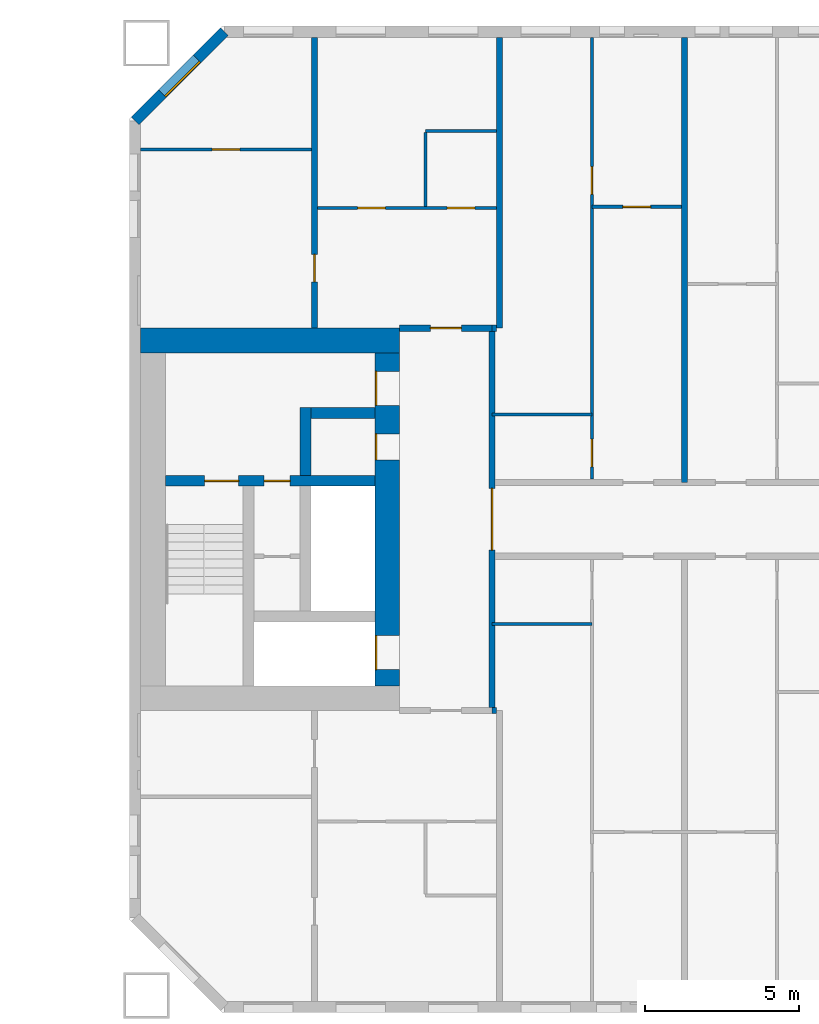
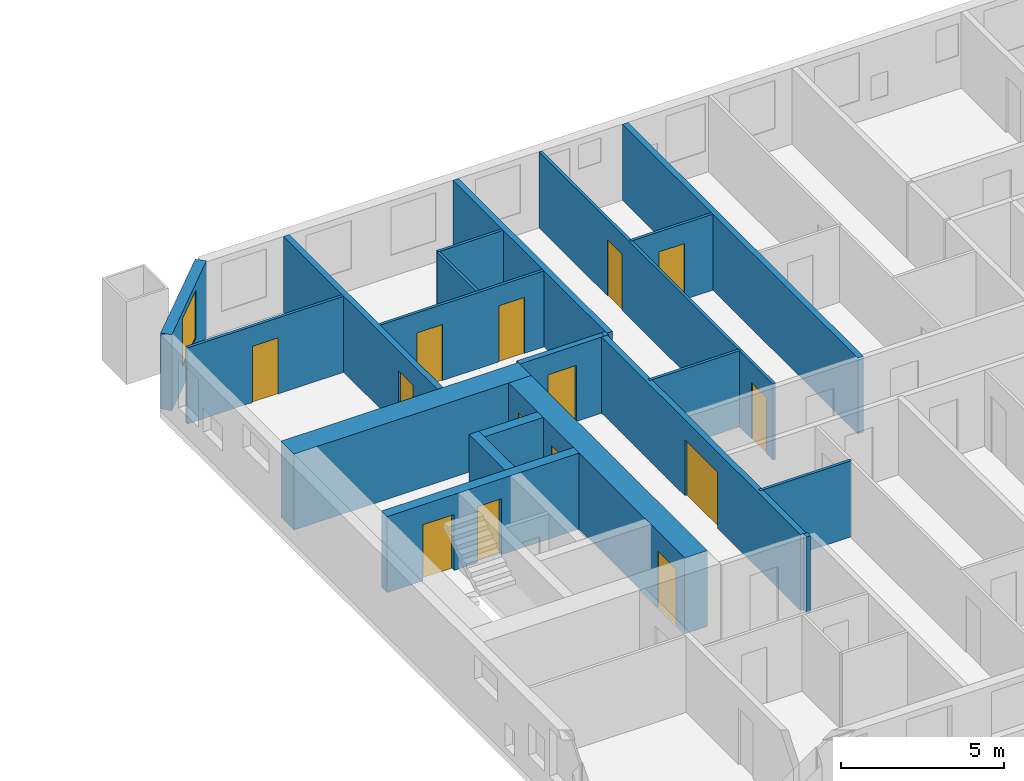
# One storey, part 12 of 19: 21 walls, 14 doors, 1 window, 15 openings.
"""IFC4 building model written with IfcOpenShell, lengths in metres."""

from ifc_helpers import new_model, si_unit, direction, frame, frame_2d, origin, place, context, subcontext, project, spatial, rectangle, extrude, material, layer, layer_set, type_object, element, fill, save


model = new_model("IFC4")

# Units and contexts
model_context = context("Model", 3, precision=1e-05, world=origin(), true_north=direction((0.0, 1.0)))
body_context = subcontext(model_context, "Body", "Model", "MODEL_VIEW")
ifc_project = project(units=[si_unit("LENGTHUNIT", "METRE"), si_unit("AREAUNIT", "SQUARE_METRE"), si_unit("VOLUMEUNIT", "CUBIC_METRE"), si_unit("PLANEANGLEUNIT", "RADIAN"), si_unit("MASSUNIT", "GRAM", prefix="KILO")], contexts=[model_context])

# Site, building, storey
site_placement = place(None, origin())
site = spatial("IfcSite", under=ifc_project, at=site_placement, CompositionType="ELEMENT")
building_placement = place(site_placement, origin())
building = spatial("IfcBuilding", under=site, at=building_placement, Name="Tuart Gate Housing", CompositionType="ELEMENT")
storey_placement = place(building_placement, frame((0.0, 0.0, 56.699951171875)))
storey = spatial("IfcBuildingStorey", under=building, at=storey_placement, Name="L15", CompositionType="ELEMENT", Elevation=56.699951171875)

# Wall, opening, window
ifc_material_1 = material(Name="Brick", Category="masonry")
ifc_layer_1 = layer(ifc_material_1, 0.360107421875)
ifc_layer_set_1 = layer_set([ifc_layer_1], Name="Brick pier and spandrel wall 360")
wall_type_1 = type_object("IfcWallType", Name="Brick pier and spandrel wall 360", PredefinedType="STANDARD", material=ifc_layer_set_1)
wall_1_placement = place(storey_placement, frame((134.07470703125, 85.820068359375, 0.0), z_axis=(0.0, 0.0, 1.0), x_axis=(-0.707106781187, -0.707106781187, 0.0)))
wall_1 = element("IfcWall", 1, at=wall_1_placement, inside=storey, type_object=wall_type_1, Name="External wall B-NW L15", PredefinedType="STANDARD", context=body_context, shape_type="SweptSolid", body=[
    extrude(rectangle(XDim=4.09375, YDim=0.360107421875, at=frame_2d((2.046875, 0.0))), origin(), (0.0, 0.0, 1.0), 2.85009765625),
])
opening_1_placement = place(wall_1_placement, frame((1.2470703125, 0.0, 0.800048828125)))
opening_1 = element("IfcOpeningElement", 2, at=opening_1_placement, cuts=wall_1, Name="Opening W1", PredefinedType="OPENING", context=body_context, shape_type="SweptSolid", body=[
    extrude(rectangle(XDim=1.60009765625, YDim=1.800048828125, at=frame_2d((0.800048828125, 0.89990234375))), frame((0.0, 0.18994140625, 0.0), z_axis=(0.0, -1.0, 0.0), x_axis=(1.0, 0.0, 0.0)), (0.0, 0.0, 1.0), 0.380126953125),
])
ifc_material_2 = material(Name="Aluminium frame with clear glass", Category="aluminium")
window_type = type_object("IfcWindowType", Name="Punched window 1600 x 1800", PartitioningType="SINGLE_PANEL", PredefinedType="WINDOW", material=ifc_material_2)
window_placement = place(opening_1_placement, origin())
window = element("IfcWindow", 3, at=window_placement, inside=storey, type_object=window_type, Name="Window W1", OverallHeight=1.800048828125, OverallWidth=1.60009765625, PartitioningType="SINGLE_PANEL", PredefinedType="WINDOW", context=body_context, shape_type="SweptSolid", body=[
    extrude(rectangle(XDim=1.60009765625, YDim=1.800048828125, at=frame_2d((0.800048828125, 0.89990234375))), frame((0.0, 0.150146484375, 0.0), z_axis=(0.0, -1.0, 0.0), x_axis=(1.0, 0.0, 0.0)), (0.0, 0.0, 1.0), 0.06005859375),
])
fill(opening_1, window)

# Wall, openings, doors
ifc_material_3 = material(Name="Concrete C60", Category="concrete")
ifc_layer_2 = layer(ifc_material_3, 0.35009765625)
ifc_layer_set_2 = layer_set([ifc_layer_2], Name="Core wall 350 C60")
wall_type_2 = type_object("IfcWallType", Name="Core wall 350 C60", PredefinedType="SHEAR", material=ifc_layer_set_2)
wall_2_placement = place(storey_placement, frame((138.9599609375, 71.25, 0.0), z_axis=(0.0, 0.0, 1.0), x_axis=(-1.0, 0.0, 0.0)))
wall_2 = element("IfcWall", 4, at=wall_2_placement, inside=storey, type_object=wall_type_2, Name="Core wall BG.3", PredefinedType="SHEAR", context=body_context, shape_type="SweptSolid", body=[
    extrude(rectangle(XDim=6.800048828125, YDim=0.35009765625, at=frame_2d((3.39990234375, 0.0))), origin(), (0.0, 0.0, 1.0), 2.85009765625),
])
opening_2_placement = place(wall_2_placement, frame((4.425048828125, 0.0, 0.0)))
opening_2 = element("IfcOpeningElement", 5, at=opening_2_placement, cuts=wall_2, Name="Opening D798", PredefinedType="OPENING", context=body_context, shape_type="SweptSolid", body=[
    extrude(rectangle(XDim=1.10009765625, YDim=2.10009765625, at=frame_2d((0.550048828125, 1.050048828125))), frame((0.0, 0.18505859375, 0.0), z_axis=(0.0, -1.0, 0.0), x_axis=(1.0, 0.0, 0.0)), (0.0, 0.0, 1.0), 0.3701171875),
])
opening_3_placement = place(wall_2_placement, frame((2.75, 0.0, 0.0)))
opening_3 = element("IfcOpeningElement", 6, at=opening_3_placement, cuts=wall_2, Name="Opening D797", PredefinedType="OPENING", context=body_context, shape_type="SweptSolid", body=[
    extrude(rectangle(XDim=0.85009765625, YDim=2.10009765625, at=frame_2d((0.425048828125, 1.050048828125))), frame((0.0, 0.18505859375, 0.0), z_axis=(0.0, -1.0, 0.0), x_axis=(1.0, 0.0, 0.0)), (0.0, 0.0, 1.0), 0.3701171875),
])
ifc_material_4 = material(Name="Steel fire door", Category="steel")
door_type_1 = type_object("IfcDoorType", Name="Riser door 850 x 2100", OperationType="SINGLE_SWING_LEFT", PredefinedType="DOOR", material=ifc_material_4)
door_1_placement = place(opening_3_placement, origin())
door_1 = element("IfcDoor", 7, at=door_1_placement, inside=storey, type_object=door_type_1, Name="Service room door BG.W1", OperationType="SINGLE_SWING_LEFT", OverallHeight=2.10009765625, OverallWidth=0.85009765625, PredefinedType="DOOR", context=body_context, shape_type="SweptSolid", body=[
    extrude(rectangle(XDim=0.85009765625, YDim=2.10009765625, at=frame_2d((0.425048828125, 1.050048828125))), frame((0.0, 0.02490234375, 0.0), z_axis=(0.0, -1.0, 0.0), x_axis=(1.0, 0.0, 0.0)), (0.0, 0.0, 1.0), 0.050048828125),
])
fill(opening_3, door_1)
ifc_material_5 = material(Name="Steel fire door", Category="steel")
door_type_2 = type_object("IfcDoorType", Name="Stair door 1100 x 2100", OperationType="SINGLE_SWING_LEFT", PredefinedType="DOOR", material=ifc_material_5)
door_2_placement = place(opening_2_placement, origin())
door_2 = element("IfcDoor", 8, at=door_2_placement, inside=storey, type_object=door_type_2, Name="Stair door BG.SD", OperationType="SINGLE_SWING_LEFT", OverallHeight=2.10009765625, OverallWidth=1.10009765625, PredefinedType="DOOR", context=body_context, shape_type="SweptSolid", body=[
    extrude(rectangle(XDim=1.10009765625, YDim=2.10009765625, at=frame_2d((0.550048828125, 1.050048828125))), frame((0.0, 0.02490234375, 0.0), z_axis=(0.0, -1.0, 0.0), x_axis=(1.0, 0.0, 0.0)), (0.0, 0.0, 1.0), 0.050048828125),
])
fill(opening_2, door_2)

# Walls
wall_3_placement = place(storey_placement, frame((138.9599609375, 73.449951171875, 0.0), z_axis=(0.0, 0.0, 1.0), x_axis=(-1.0, 0.0, 0.0)))
element("IfcWall", 9, at=wall_3_placement, inside=storey, type_object=wall_type_2, Name="Core wall BG.4", PredefinedType="SHEAR", context=body_context, shape_type="SweptSolid", body=[
    extrude(rectangle(XDim=2.074951171875, YDim=0.35009765625, at=frame_2d((1.03759765625, 0.0))), origin(), (0.0, 0.0, 1.0), 2.85009765625),
])
wall_4_placement = place(storey_placement, frame((136.7099609375, 71.425048828125, 0.0), z_axis=(0.0, 0.0, 1.0), x_axis=(0.0, 1.0, 0.0)))
element("IfcWall", 10, at=wall_4_placement, inside=storey, type_object=wall_type_2, Name="Core wall BG.6", PredefinedType="SHEAR", context=body_context, shape_type="SweptSolid", body=[
    extrude(rectangle(XDim=2.199951171875, YDim=0.35009765625, at=frame_2d((1.10009765625, 0.0))), origin(), (0.0, 0.0, 1.0), 2.85009765625),
])

# Wall, openings, doors
ifc_material_6 = material(Name="Concrete C60", Category="concrete")
ifc_layer_3 = layer(ifc_material_6, 0.800048828125)
ifc_layer_set_3 = layer_set([ifc_layer_3], Name="Core wall 800 C60")
wall_type_3 = type_object("IfcWallType", Name="Core wall 800 C60", PredefinedType="SHEAR", material=ifc_layer_set_3)
wall_5_placement = place(storey_placement, frame((139.360107421875, 64.60009765625, 0.0), z_axis=(0.0, 0.0, 1.0), x_axis=(0.0, 1.0, 0.0)))
wall_5 = element("IfcWall", 11, at=wall_5_placement, inside=storey, type_object=wall_type_3, Name="Core wall BG front", PredefinedType="SHEAR", context=body_context, shape_type="SweptSolid", body=[
    extrude(rectangle(XDim=10.7998046875, YDim=0.800048828125, at=frame_2d((5.39990234375, 0.0))), origin(), (0.0, 0.0, 1.0), 2.85009765625),
])
opening_4_placement = place(wall_5_placement, frame((0.52490234375, 0.0, 0.0)))
opening_4 = element("IfcOpeningElement", 12, at=opening_4_placement, cuts=wall_5, Name="Opening LD-FB1", PredefinedType="OPENING", context=body_context, shape_type="SweptSolid", body=[
    extrude(rectangle(XDim=1.10009765625, YDim=2.10009765625, at=frame_2d((0.550048828125, 1.050048828125))), frame((0.0, 0.409912109375, 0.0), z_axis=(0.0, -1.0, 0.0), x_axis=(1.0, 0.0, 0.0)), (0.0, 0.0, 1.0), 0.820068359375),
])
opening_5_placement = place(wall_5_placement, frame((9.10009765625, 0.0, 0.0)))
opening_5 = element("IfcOpeningElement", 13, at=opening_5_placement, cuts=wall_5, Name="Opening D801", PredefinedType="OPENING", context=body_context, shape_type="SweptSolid", body=[
    extrude(rectangle(XDim=1.10009765625, YDim=2.10009765625, at=frame_2d((0.550048828125, 1.050048828125))), frame((0.0, 0.409912109375, 0.0), z_axis=(0.0, -1.0, 0.0), x_axis=(1.0, 0.0, 0.0)), (0.0, 0.0, 1.0), 0.820068359375),
])
opening_6_placement = place(wall_5_placement, frame((7.324951171875, 0.0, 0.0)))
opening_6 = element("IfcOpeningElement", 14, at=opening_6_placement, cuts=wall_5, Name="Opening D802", PredefinedType="OPENING", context=body_context, shape_type="SweptSolid", body=[
    extrude(rectangle(XDim=0.85009765625, YDim=2.10009765625, at=frame_2d((0.425048828125, 1.050048828125))), frame((0.0, 0.409912109375, 0.0), z_axis=(0.0, -1.0, 0.0), x_axis=(1.0, 0.0, 0.0)), (0.0, 0.0, 1.0), 0.820068359375),
])
ifc_material_7 = material(Name="Stainless steel", Category="steel")
door_type_3 = type_object("IfcDoorType", Name="Landing door 1100 x 2100", OperationType="DOUBLE_DOOR_SLIDING", PredefinedType="DOOR", material=ifc_material_7)
door_3_placement = place(opening_4_placement, origin())
door_3 = element("IfcDoor", 15, at=door_3_placement, inside=storey, type_object=door_type_3, Name="Lift landing door FB1", OperationType="DOUBLE_DOOR_SLIDING", OverallHeight=2.10009765625, OverallWidth=1.10009765625, PredefinedType="DOOR", context=body_context, shape_type="SweptSolid", body=[
    extrude(rectangle(XDim=1.10009765625, YDim=2.10009765625, at=frame_2d((0.550048828125, 1.050048828125))), frame((0.0, 0.38525390625, 0.0), z_axis=(0.0, -1.0, 0.0), x_axis=(1.0, 0.0, 0.0)), (0.0, 0.0, 1.0), 0.050048828125),
])
fill(opening_4, door_3)
ifc_material_8 = material(Name="Steel fire door", Category="steel")
door_type_4 = type_object("IfcDoorType", Name="Lobby door 1100 x 2100", OperationType="SINGLE_SWING_LEFT", PredefinedType="DOOR", material=ifc_material_8)
door_4_placement = place(opening_5_placement, origin())
door_4 = element("IfcDoor", 16, at=door_4_placement, inside=storey, type_object=door_type_4, Name="Lobby entry door BG.EN", OperationType="SINGLE_SWING_LEFT", OverallHeight=2.10009765625, OverallWidth=1.10009765625, PredefinedType="DOOR", context=body_context, shape_type="SweptSolid", body=[
    extrude(rectangle(XDim=1.10009765625, YDim=2.10009765625, at=frame_2d((0.550048828125, 1.050048828125))), frame((0.0, 0.38525390625, 0.0), z_axis=(0.0, -1.0, 0.0), x_axis=(1.0, 0.0, 0.0)), (0.0, 0.0, 1.0), 0.050048828125),
])
fill(opening_5, door_4)
ifc_material_9 = material(Name="Steel fire door", Category="steel")
door_type_5 = type_object("IfcDoorType", Name="Service door 850 x 2100", OperationType="SINGLE_SWING_LEFT", PredefinedType="DOOR", material=ifc_material_9)
door_5_placement = place(opening_6_placement, origin())
door_5 = element("IfcDoor", 17, at=door_5_placement, inside=storey, type_object=door_type_5, Name="Service room door BG.T1", OperationType="SINGLE_SWING_LEFT", OverallHeight=2.10009765625, OverallWidth=0.85009765625, PredefinedType="DOOR", context=body_context, shape_type="SweptSolid", body=[
    extrude(rectangle(XDim=0.85009765625, YDim=2.10009765625, at=frame_2d((0.425048828125, 1.050048828125))), frame((0.0, 0.38525390625, 0.0), z_axis=(0.0, -1.0, 0.0), x_axis=(1.0, 0.0, 0.0)), (0.0, 0.0, 1.0), 0.050048828125),
])
fill(opening_6, door_5)

# Wall
wall_6_placement = place(storey_placement, frame((139.760009765625, 75.800048828125, 0.0), z_axis=(0.0, 0.0, 1.0), x_axis=(-1.0, 0.0, 0.0)))
element("IfcWall", 18, at=wall_6_placement, inside=storey, type_object=wall_type_3, Name="Core wall BG north", PredefinedType="SHEAR", context=body_context, shape_type="SweptSolid", body=[
    extrude(rectangle(XDim=8.39990234375, YDim=0.800048828125, at=frame_2d((4.199951171875, 0.0))), origin(), (0.0, 0.0, 1.0), 2.85009765625),
])

# Wall, opening, door
ifc_material_10 = material(Name="Concrete masonry 15 MPa", Category="masonry")
ifc_layer_4 = layer(ifc_material_10, 0.199951171875)
ifc_layer_set_4 = layer_set([ifc_layer_4], Name="Enclosure wall masonry 200")
wall_type_4 = type_object("IfcWallType", Name="Enclosure wall masonry 200", PredefinedType="PARTITIONING", material=ifc_layer_set_4)
wall_7_placement = place(storey_placement, frame((139.760009765625, 76.199951171875, 0.0), z_axis=(0.0, 0.0, 1.0), x_axis=(1.0, 0.0, 0.0)))
wall_7 = element("IfcWall", 19, at=wall_7_placement, inside=storey, type_object=wall_type_4, Name="Enclosure wall masonry 200", PredefinedType="PARTITIONING", context=body_context, shape_type="SweptSolid", body=[
    extrude(rectangle(XDim=3.0, YDim=0.199951171875, at=frame_2d((1.5, 0.0))), origin(), (0.0, 0.0, 1.0), 2.85009765625),
])
opening_7_placement = place(wall_7_placement, frame((1.0, 0.0, 0.0)))
opening_7 = element("IfcOpeningElement", 20, at=opening_7_placement, cuts=wall_7, Name="Opening D795", PredefinedType="OPENING", context=body_context, shape_type="SweptSolid", body=[
    extrude(rectangle(XDim=1.0, YDim=2.10009765625, at=frame_2d((0.5, 1.050048828125))), frame((0.0, 0.10986328125, 0.0), z_axis=(0.0, -1.0, 0.0), x_axis=(1.0, 0.0, 0.0)), (0.0, 0.0, 1.0), 0.219970703125),
])
ifc_material_11 = material(Name="Timber door leaf in steel frame", Category="steel")
door_type_6 = type_object("IfcDoorType", Name="Flat entrance door 1000 RH", OperationType="SINGLE_SWING_RIGHT", PredefinedType="DOOR", material=ifc_material_11)
door_6_placement = place(opening_7_placement, origin())
door_6 = element("IfcDoor", 21, at=door_6_placement, inside=storey, type_object=door_type_6, Name="Flat entrance door", OperationType="SINGLE_SWING_RIGHT", OverallHeight=2.10009765625, OverallWidth=1.0, PredefinedType="DOOR", context=body_context, shape_type="SweptSolid", body=[
    extrude(rectangle(XDim=1.0, YDim=2.10009765625, at=frame_2d((0.5, 1.050048828125))), frame((0.0, 0.02490234375, 0.0), z_axis=(0.0, -1.0, 0.0), x_axis=(1.0, 0.0, 0.0)), (0.0, 0.0, 1.0), 0.050048828125),
])
fill(opening_7, door_6)

ifc_material_12 = material(Name="Plasterboard partition")
ifc_layer_5 = layer(ifc_material_12, 0.199951171875)
ifc_layer_set_5 = layer_set([ifc_layer_5], Name="Lobby wall 200")
wall_type_5 = type_object("IfcWallType", Name="Lobby wall 200", PredefinedType="PARTITIONING", material=ifc_layer_set_5)
wall_8_placement = place(storey_placement, frame((142.760009765625, 63.89990234375, 0.0), z_axis=(0.0, 0.0, 1.0), x_axis=(0.0, 1.0, 0.0)))
wall_8 = element("IfcWall", 22, at=wall_8_placement, inside=storey, type_object=wall_type_5, Name="Lift lobby wall BG", PredefinedType="PARTITIONING", context=body_context, shape_type="SweptSolid", body=[
    extrude(rectangle(XDim=12.2001953125, YDim=0.199951171875, at=frame_2d((6.10009765625, 0.0))), origin(), (0.0, 0.0, 1.0), 2.85009765625),
])
opening_8_placement = place(wall_8_placement, frame((5.10009765625, 0.0, 0.0)))
opening_8 = element("IfcOpeningElement", 23, at=opening_8_placement, cuts=wall_8, Name="Opening D803", PredefinedType="OPENING", context=body_context, shape_type="SweptSolid", body=[
    extrude(rectangle(XDim=2.0, YDim=2.10009765625, at=frame_2d((1.0, 1.050048828125))), frame((0.0, 0.10986328125, 0.0), z_axis=(0.0, -1.0, 0.0), x_axis=(1.0, 0.0, 0.0)), (0.0, 0.0, 1.0), 0.219970703125),
])
ifc_material_13 = material(Name="Steel fire door", Category="steel")
door_type_7 = type_object("IfcDoorType", Name="Smoke door 2000 x 2100", OperationType="DOUBLE_DOOR_SINGLE_SWING", PredefinedType="DOOR", material=ifc_material_13)
door_7_placement = place(opening_8_placement, origin())
door_7 = element("IfcDoor", 24, at=door_7_placement, inside=storey, type_object=door_type_7, Name="Lift lobby smoke door BG", OperationType="DOUBLE_DOOR_SINGLE_SWING", OverallHeight=2.10009765625, OverallWidth=2.0, PredefinedType="DOOR", context=body_context, shape_type="SweptSolid", body=[
    extrude(rectangle(XDim=2.0, YDim=2.10009765625, at=frame_2d((1.0, 1.050048828125))), frame((0.0, 0.02490234375, 0.0), z_axis=(0.0, -1.0, 0.0), x_axis=(1.0, 0.0, 0.0)), (0.0, 0.0, 1.0), 0.050048828125),
])
fill(opening_8, door_7)

# Walls
ifc_material_14 = material(Name="Gypsum board on steel studs", Category="steel")
ifc_layer_6 = layer(ifc_material_14, 0.10009765625)
ifc_layer_set_6 = layer_set([ifc_layer_6], Name="Partition 100")
wall_type_6 = type_object("IfcWallType", Name="Partition 100", PredefinedType="PARTITIONING", material=ifc_layer_set_6)
for number, where, z_axis, x_axis, name in (
    (25, (142.760009765625, 66.60009765625, 0.0), (0.0, 0.0, 1.0), (1.0, 0.0, 0.0), "Partition 100"),
    (26, (142.760009765625, 73.39990234375, 0.0), (0.0, 0.0, 1.0), (1.0, 0.0, 0.0), "Partition 100"),
):
    element("IfcWall", number, at=place(storey_placement, frame(where, z_axis=z_axis, x_axis=x_axis)), inside=storey, type_object=wall_type_6, Name=name, PredefinedType="PARTITIONING", context=body_context, shape_type="SweptSolid", body=[
        extrude(rectangle(XDim=3.239990234375, YDim=0.10009765625, at=frame_2d((1.6201171875, 0.0))), origin(), (0.0, 0.0, 1.0), 2.85009765625),
    ])

# Wall, openings, doors
wall_9_placement = place(storey_placement, frame((137.10009765625, 80.10009765625, 0.0), z_axis=(0.0, 0.0, 1.0), x_axis=(1.0, 0.0, 0.0)))
wall_9 = element("IfcWall", 27, at=wall_9_placement, inside=storey, type_object=wall_type_6, Name="Partition 100", PredefinedType="PARTITIONING", context=body_context, shape_type="SweptSolid", body=[
    extrude(rectangle(XDim=5.7998046875, YDim=0.10009765625, at=frame_2d((2.89990234375, 0.0))), origin(), (0.0, 0.0, 1.0), 2.85009765625),
])
opening_9_placement = place(wall_9_placement, frame((1.300048828125, 0.0, 0.0)))
opening_9 = element("IfcOpeningElement", 28, at=opening_9_placement, cuts=wall_9, Name="Opening D787", PredefinedType="OPENING", context=body_context, shape_type="SweptSolid", body=[
    extrude(rectangle(XDim=0.89990234375, YDim=2.10009765625, at=frame_2d((0.449951171875, 1.050048828125))), frame((0.0, 0.06005859375, 0.0), z_axis=(0.0, -1.0, 0.0), x_axis=(1.0, 0.0, 0.0)), (0.0, 0.0, 1.0), 0.1201171875),
])
opening_10_placement = place(wall_9_placement, frame((4.199951171875, 0.0, 0.0)))
opening_10 = element("IfcOpeningElement", 29, at=opening_10_placement, cuts=wall_9, Name="Opening D786", PredefinedType="OPENING", context=body_context, shape_type="SweptSolid", body=[
    extrude(rectangle(XDim=0.89990234375, YDim=2.10009765625, at=frame_2d((0.449951171875, 1.050048828125))), frame((0.0, 0.06005859375, 0.0), z_axis=(0.0, -1.0, 0.0), x_axis=(1.0, 0.0, 0.0)), (0.0, 0.0, 1.0), 0.1201171875),
])
ifc_material_15 = material(Name="Timber door leaf in steel frame", Category="steel")
door_type_8 = type_object("IfcDoorType", Name="Bathroom door 900", OperationType="SINGLE_SWING_LEFT", PredefinedType="DOOR", material=ifc_material_15)
door_8_placement = place(opening_10_placement, origin())
door_8 = element("IfcDoor", 30, at=door_8_placement, inside=storey, type_object=door_type_8, Name="Bathroom door", OperationType="SINGLE_SWING_LEFT", OverallHeight=2.10009765625, OverallWidth=0.89990234375, PredefinedType="DOOR", context=body_context, shape_type="SweptSolid", body=[
    extrude(rectangle(XDim=0.89990234375, YDim=2.10009765625, at=frame_2d((0.449951171875, 1.050048828125))), frame((0.0, 0.02490234375, 0.0), z_axis=(0.0, -1.0, 0.0), x_axis=(1.0, 0.0, 0.0)), (0.0, 0.0, 1.0), 0.050048828125),
])
fill(opening_10, door_8)
ifc_material_16 = material(Name="Timber door leaf in steel frame", Category="steel")
door_type_9 = type_object("IfcDoorType", Name="Internal door 900 RH", OperationType="SINGLE_SWING_RIGHT", PredefinedType="DOOR", material=ifc_material_16)
door_9_placement = place(opening_9_placement, origin())
door_9 = element("IfcDoor", 31, at=door_9_placement, inside=storey, type_object=door_type_9, Name="Internal door", OperationType="SINGLE_SWING_RIGHT", OverallHeight=2.10009765625, OverallWidth=0.89990234375, PredefinedType="DOOR", context=body_context, shape_type="SweptSolid", body=[
    extrude(rectangle(XDim=0.89990234375, YDim=2.10009765625, at=frame_2d((0.449951171875, 1.050048828125))), frame((0.0, 0.02490234375, 0.0), z_axis=(0.0, -1.0, 0.0), x_axis=(1.0, 0.0, 0.0)), (0.0, 0.0, 1.0), 0.050048828125),
])
fill(opening_9, door_9)

# Wall, opening, door
wall_10_placement = place(storey_placement, frame((146.0, 80.139892578125, 0.0), z_axis=(0.0, 0.0, 1.0), x_axis=(1.0, 0.0, 0.0)))
wall_10 = element("IfcWall", 32, at=wall_10_placement, inside=storey, type_object=wall_type_6, Name="Partition 100", PredefinedType="PARTITIONING", context=body_context, shape_type="SweptSolid", body=[
    extrude(rectangle(XDim=2.89990234375, YDim=0.10009765625, at=frame_2d((1.449951171875, 0.0))), origin(), (0.0, 0.0, 1.0), 2.85009765625),
])
opening_11_placement = place(wall_10_placement, frame((1.0, 0.0, 0.0)))
opening_11 = element("IfcOpeningElement", 33, at=opening_11_placement, cuts=wall_10, Name="Opening D785", PredefinedType="OPENING", context=body_context, shape_type="SweptSolid", body=[
    extrude(rectangle(XDim=0.89990234375, YDim=2.10009765625, at=frame_2d((0.449951171875, 1.050048828125))), frame((0.0, 0.06005859375, 0.0), z_axis=(0.0, -1.0, 0.0), x_axis=(1.0, 0.0, 0.0)), (0.0, 0.0, 1.0), 0.1201171875),
])
door_10_placement = place(opening_11_placement, frame((0.89990234375, 0.0, 0.0), z_axis=(0.0, 0.0, 1.0), x_axis=(-1.0, 0.0, 0.0)))
door_10 = element("IfcDoor", 34, at=door_10_placement, inside=storey, type_object=door_type_9, Name="Internal door", OperationType="SINGLE_SWING_RIGHT", OverallHeight=2.10009765625, OverallWidth=0.89990234375, PredefinedType="DOOR", context=body_context, shape_type="SweptSolid", body=[
    extrude(rectangle(XDim=0.89990234375, YDim=2.10009765625, at=frame_2d((0.449951171875, 1.050048828125))), frame((0.0, 0.025146484375, 0.0), z_axis=(0.0, -1.0, 0.0), x_axis=(1.0, 0.0, 0.0)), (0.0, 0.0, 1.0), 0.050048828125),
])
fill(opening_11, door_10)

wall_11_placement = place(storey_placement, frame((131.360107421875, 82.0, 0.0), z_axis=(0.0, 0.0, 1.0), x_axis=(1.0, 0.0, 0.0)))
wall_11 = element("IfcWall", 35, at=wall_11_placement, inside=storey, type_object=wall_type_6, Name="Partition 100", PredefinedType="PARTITIONING", context=body_context, shape_type="SweptSolid", body=[
    extrude(rectangle(XDim=5.539794921875, YDim=0.10009765625, at=frame_2d((2.77001953125, 0.0))), origin(), (0.0, 0.0, 1.0), 2.85009765625),
])
opening_12_placement = place(wall_11_placement, frame((2.320068359375, 0.0, 0.0)))
opening_12 = element("IfcOpeningElement", 36, at=opening_12_placement, cuts=wall_11, Name="Opening D783", PredefinedType="OPENING", context=body_context, shape_type="SweptSolid", body=[
    extrude(rectangle(XDim=0.89990234375, YDim=2.10009765625, at=frame_2d((0.449951171875, 1.050048828125))), frame((0.0, 0.06005859375, 0.0), z_axis=(0.0, -1.0, 0.0), x_axis=(1.0, 0.0, 0.0)), (0.0, 0.0, 1.0), 0.1201171875),
])
ifc_material_17 = material(Name="Timber door leaf in steel frame", Category="steel")
door_type_10 = type_object("IfcDoorType", Name="Internal door 900", OperationType="SINGLE_SWING_LEFT", PredefinedType="DOOR", material=ifc_material_17)
door_11_placement = place(opening_12_placement, origin())
door_11 = element("IfcDoor", 37, at=door_11_placement, inside=storey, type_object=door_type_10, Name="Internal door", OperationType="SINGLE_SWING_LEFT", OverallHeight=2.10009765625, OverallWidth=0.89990234375, PredefinedType="DOOR", context=body_context, shape_type="SweptSolid", body=[
    extrude(rectangle(XDim=0.89990234375, YDim=2.10009765625, at=frame_2d((0.449951171875, 1.050048828125))), frame((0.0, 0.02490234375, 0.0), z_axis=(0.0, -1.0, 0.0), x_axis=(1.0, 0.0, 0.0)), (0.0, 0.0, 1.0), 0.050048828125),
])
fill(opening_12, door_11)

# Walls
wall_12_placement = place(storey_placement, frame((140.60009765625, 82.60009765625, 0.0), z_axis=(0.0, 0.0, 1.0), x_axis=(1.0, 0.0, 0.0)))
element("IfcWall", 38, at=wall_12_placement, inside=storey, type_object=wall_type_6, Name="Partition 100", PredefinedType="PARTITIONING", context=body_context, shape_type="SweptSolid", body=[
    extrude(rectangle(XDim=2.2998046875, YDim=0.10009765625, at=frame_2d((1.14990234375, 0.0))), origin(), (0.0, 0.0, 1.0), 2.85009765625),
])
wall_13_placement = place(storey_placement, frame((140.60009765625, 80.14990234375, 0.0), z_axis=(0.0, 0.0, 1.0), x_axis=(0.0, 1.0, 0.0)))
element("IfcWall", 39, at=wall_13_placement, inside=storey, type_object=wall_type_6, Name="Partition 100", PredefinedType="PARTITIONING", context=body_context, shape_type="SweptSolid", body=[
    extrude(rectangle(XDim=2.400146484375, YDim=0.10009765625, at=frame_2d((1.2001953125, 0.0))), origin(), (0.0, 0.0, 1.0), 2.85009765625),
])

# Wall, openings, doors
wall_14_placement = place(storey_placement, frame((146.0, 71.300048828125, 0.0), z_axis=(0.0, 0.0, 1.0), x_axis=(0.0, 1.0, 0.0)))
wall_14 = element("IfcWall", 40, at=wall_14_placement, inside=storey, type_object=wall_type_6, Name="Partition 100", PredefinedType="PARTITIONING", context=body_context, shape_type="SweptSolid", body=[
    extrude(rectangle(XDim=14.33984375, YDim=0.10009765625, at=frame_2d((7.169921875, 0.0))), origin(), (0.0, 0.0, 1.0), 2.85009765625),
])
opening_13_placement = place(wall_14_placement, frame((9.239990234375, 0.0, 0.0)))
opening_13 = element("IfcOpeningElement", 41, at=opening_13_placement, cuts=wall_14, Name="Opening D791", PredefinedType="OPENING", context=body_context, shape_type="SweptSolid", body=[
    extrude(rectangle(XDim=0.89990234375, YDim=2.10009765625, at=frame_2d((0.449951171875, 1.050048828125))), frame((0.0, 0.06005859375, 0.0), z_axis=(0.0, -1.0, 0.0), x_axis=(1.0, 0.0, 0.0)), (0.0, 0.0, 1.0), 0.1201171875),
])
opening_14_placement = place(wall_14_placement, frame((0.39990234375, 0.0, 0.0)))
opening_14 = element("IfcOpeningElement", 42, at=opening_14_placement, cuts=wall_14, Name="Opening D790", PredefinedType="OPENING", context=body_context, shape_type="SweptSolid", body=[
    extrude(rectangle(XDim=0.89990234375, YDim=2.10009765625, at=frame_2d((0.449951171875, 1.050048828125))), frame((0.0, 0.06005859375, 0.0), z_axis=(0.0, -1.0, 0.0), x_axis=(1.0, 0.0, 0.0)), (0.0, 0.0, 1.0), 0.1201171875),
])
door_12_placement = place(opening_14_placement, origin())
door_12 = element("IfcDoor", 43, at=door_12_placement, inside=storey, type_object=door_type_8, Name="Bathroom door", OperationType="SINGLE_SWING_LEFT", OverallHeight=2.10009765625, OverallWidth=0.89990234375, PredefinedType="DOOR", context=body_context, shape_type="SweptSolid", body=[
    extrude(rectangle(XDim=0.89990234375, YDim=2.10009765625, at=frame_2d((0.449951171875, 1.050048828125))), frame((0.0, 0.02490234375, 0.0), z_axis=(0.0, -1.0, 0.0), x_axis=(1.0, 0.0, 0.0)), (0.0, 0.0, 1.0), 0.050048828125),
])
fill(opening_14, door_12)
door_13_placement = place(opening_13_placement, origin())
door_13 = element("IfcDoor", 44, at=door_13_placement, inside=storey, type_object=door_type_9, Name="Internal door", OperationType="SINGLE_SWING_RIGHT", OverallHeight=2.10009765625, OverallWidth=0.89990234375, PredefinedType="DOOR", context=body_context, shape_type="SweptSolid", body=[
    extrude(rectangle(XDim=0.89990234375, YDim=2.10009765625, at=frame_2d((0.449951171875, 1.050048828125))), frame((0.0, 0.02490234375, 0.0), z_axis=(0.0, -1.0, 0.0), x_axis=(1.0, 0.0, 0.0)), (0.0, 0.0, 1.0), 0.050048828125),
])
fill(opening_13, door_13)

# Wall, opening, door
ifc_material_18 = material(Name="Concrete C40", Category="concrete")
ifc_layer_7 = layer(ifc_material_18, 0.199951171875)
ifc_layer_set_7 = layer_set([ifc_layer_7], Name="Party wall concrete C40 200")
wall_type_7 = type_object("IfcWallType", Name="Party wall concrete C40 200", PredefinedType="SOLIDWALL", material=ifc_layer_set_7)
wall_15_placement = place(storey_placement, frame((137.0, 76.199951171875, 0.0), z_axis=(0.0, 0.0, 1.0), x_axis=(0.0, 1.0, 0.0)))
wall_15 = element("IfcWall", 45, at=wall_15_placement, inside=storey, type_object=wall_type_7, Name="Party wall concrete C40 200", PredefinedType="SOLIDWALL", context=body_context, shape_type="SweptSolid", body=[
    extrude(rectangle(XDim=9.43994140625, YDim=0.199951171875, at=frame_2d((4.719970703125, 0.0))), origin(), (0.0, 0.0, 1.0), 2.85009765625),
])
opening_15_placement = place(wall_15_placement, frame((1.5, 0.0, 0.0)))
opening_15 = element("IfcOpeningElement", 46, at=opening_15_placement, cuts=wall_15, Name="Opening D784", PredefinedType="OPENING", context=body_context, shape_type="SweptSolid", body=[
    extrude(rectangle(XDim=0.89990234375, YDim=2.10009765625, at=frame_2d((0.449951171875, 1.050048828125))), frame((0.0, 0.10986328125, 0.0), z_axis=(0.0, -1.0, 0.0), x_axis=(1.0, 0.0, 0.0)), (0.0, 0.0, 1.0), 0.219970703125),
])
door_14_placement = place(opening_15_placement, frame((0.89990234375, 0.0, 0.0), z_axis=(0.0, 0.0, 1.0), x_axis=(-1.0, 0.0, 0.0)))
door_14 = element("IfcDoor", 47, at=door_14_placement, inside=storey, type_object=door_type_9, Name="Internal door", OperationType="SINGLE_SWING_RIGHT", OverallHeight=2.10009765625, OverallWidth=0.89990234375, PredefinedType="DOOR", context=body_context, shape_type="SweptSolid", body=[
    extrude(rectangle(XDim=0.89990234375, YDim=2.10009765625, at=frame_2d((0.449951171875, 1.050048828125))), frame((0.0, 0.025146484375, 0.0), z_axis=(0.0, -1.0, 0.0), x_axis=(1.0, 0.0, 0.0)), (0.0, 0.0, 1.0), 0.050048828125),
])
fill(opening_15, door_14)

# Walls
wall_16_placement = place(storey_placement, frame((143.0, 76.199951171875, 0.0), z_axis=(0.0, 0.0, 1.0), x_axis=(0.0, 1.0, 0.0)))
element("IfcWall", 48, at=wall_16_placement, inside=storey, type_object=wall_type_7, Name="Party wall concrete C40 200", PredefinedType="SOLIDWALL", context=body_context, shape_type="SweptSolid", body=[
    extrude(rectangle(XDim=9.43994140625, YDim=0.199951171875, at=frame_2d((4.719970703125, 0.0))), origin(), (0.0, 0.0, 1.0), 2.85009765625),
])
wall_17_placement = place(storey_placement, frame((149.0, 71.199951171875, 0.0), z_axis=(0.0, 0.0, 1.0), x_axis=(0.0, 1.0, 0.0)))
element("IfcWall", 49, at=wall_17_placement, inside=storey, type_object=wall_type_7, Name="Party wall concrete C40 200", PredefinedType="SOLIDWALL", context=body_context, shape_type="SweptSolid", body=[
    extrude(rectangle(XDim=14.43994140625, YDim=0.199951171875, at=frame_2d((7.219970703125, 0.0))), origin(), (0.0, 0.0, 1.0), 2.85009765625),
])
ifc_material_19 = material(Name="Concrete masonry 15 MPa", Category="masonry")
ifc_layer_8 = layer(ifc_material_19, 0.199951171875)
ifc_layer_set_8 = layer_set([ifc_layer_8], Name="Party wall masonry 200")
wall_type_8 = type_object("IfcWallType", Name="Party wall masonry 200", PredefinedType="PARTITIONING", material=ifc_layer_set_8)
for number, where, z_axis, x_axis, name in (
    (50, (142.760009765625, 63.800048828125, 0.0), (0.0, 0.0, 1.0), (1.0, 0.0, 0.0), "Party wall masonry 200"),
    (51, (142.760009765625, 76.199951171875, 0.0), (0.0, 0.0, 1.0), (1.0, 0.0, 0.0), "Party wall masonry 200"),
):
    element("IfcWall", number, at=place(storey_placement, frame(where, z_axis=z_axis, x_axis=x_axis)), inside=storey, type_object=wall_type_8, Name=name, PredefinedType="PARTITIONING", context=body_context, shape_type="SweptSolid", body=[
        extrude(rectangle(XDim=0.139892578125, YDim=0.199951171875, at=frame_2d((0.06982421875, 0.0))), origin(), (0.0, 0.0, 1.0), 2.85009765625),
    ])

save(model, "model.ifc")
